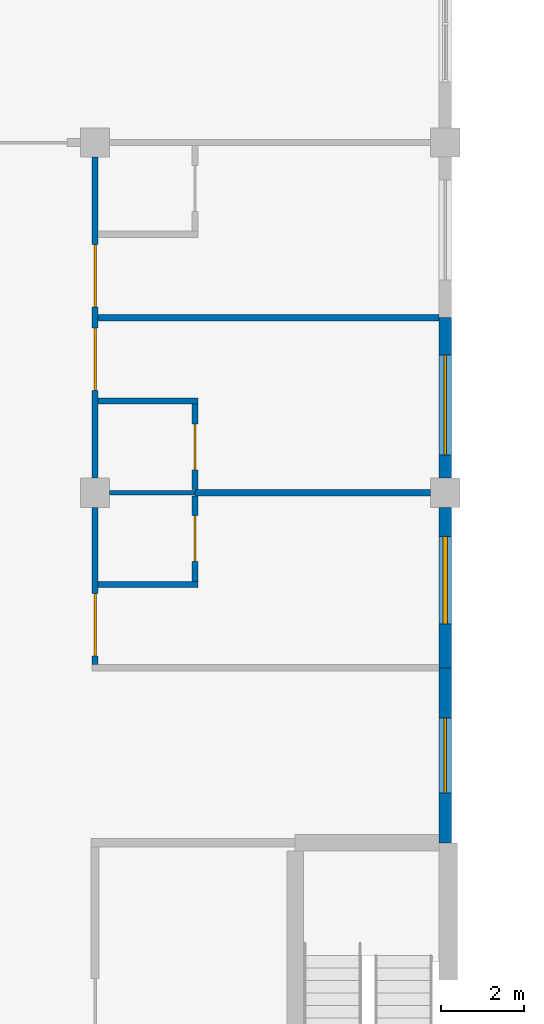
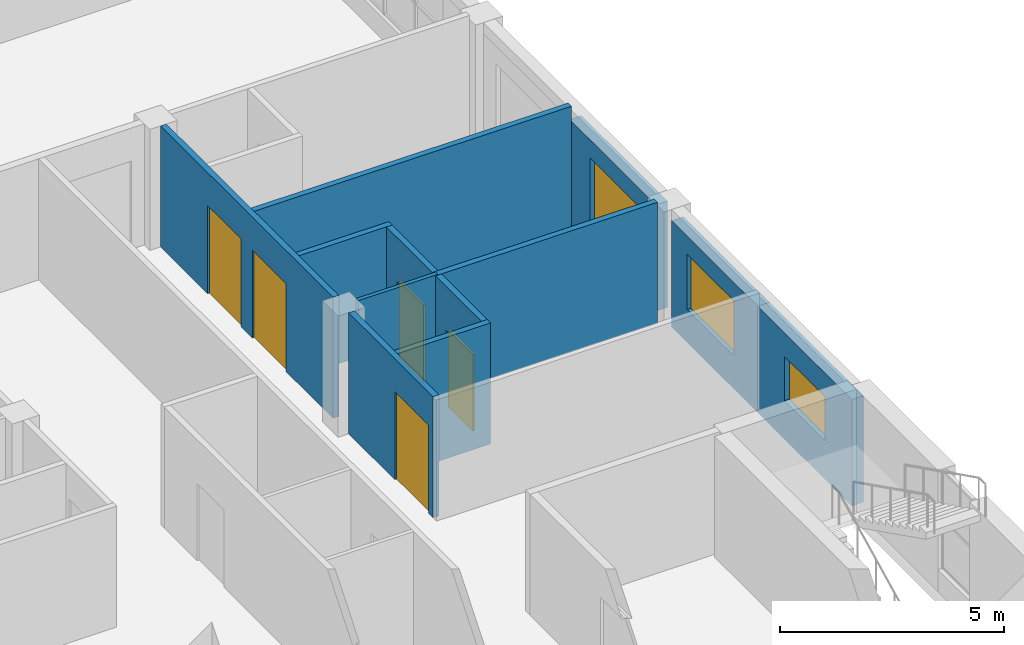
# One storey, part 31 of 48: 12 walls, 5 doors, 3 windows, 8 openings.
"""IFC4 building model written with IfcOpenShell, lengths in metres."""

from ifc_helpers import new_model, si_unit, direction, frame, frame_2d, origin, place, context, subcontext, project, spatial, rectangle, extrude, material, layer, layer_set, type_object, element, fill, save


model = new_model("IFC4")

# Units and contexts
model_context = context("Model", 3, precision=1e-05, world=origin(), true_north=direction((0.0, 1.0)))
body_context = subcontext(model_context, "Body", "Model", "MODEL_VIEW")
ifc_project = project(units=[si_unit("LENGTHUNIT", "METRE"), si_unit("AREAUNIT", "SQUARE_METRE"), si_unit("VOLUMEUNIT", "CUBIC_METRE"), si_unit("PLANEANGLEUNIT", "RADIAN"), si_unit("MASSUNIT", "GRAM", prefix="KILO")], contexts=[model_context])

# Site, building, storey
site_placement = place(None, origin())
site = spatial("IfcSite", under=ifc_project, at=site_placement, CompositionType="ELEMENT")
building_placement = place(site_placement, origin())
building = spatial("IfcBuilding", under=site, at=building_placement, Name="Yavir Park General Hospital", CompositionType="ELEMENT")
storey_placement = place(building_placement, frame((0.0, 0.0, 26.10009765625)))
storey = spatial("IfcBuildingStorey", under=building, at=storey_placement, Name="L06", CompositionType="ELEMENT", Elevation=26.10009765625)

# Walls
ifc_material_1 = material(Name="Gypsum board partition on steel studs", Category="steel")
ifc_layer_1 = layer(ifc_material_1, 0.10009765625)
ifc_layer_set_1 = layer_set([ifc_layer_1], Name="Gypsum board partition on steel studs")
wall_type_1 = type_object("IfcWallType", Name="Gypsum board partition 100", PredefinedType="PARTITIONING", material=ifc_layer_set_1)
wall_1_placement = place(storey_placement, frame((17.14990234375, 58.800048828125, 0.0), z_axis=(0.0, 0.0, 1.0), x_axis=(1.0, 0.0, 0.0)))
element("IfcWall", 1, at=wall_1_placement, inside=storey, type_object=wall_type_1, Name="P10 L06-089", PredefinedType="PARTITIONING", context=body_context, shape_type="SweptSolid", body=[
    extrude(rectangle(XDim=2.050048828125, YDim=0.10009765625, at=frame_2d((1.02490234375, 0.0))), origin(), (0.0, 0.0, 1.0), 3.2998046875),
])
ifc_material_2 = material(Name="Gypsum board partition on steel studs", Category="steel")
ifc_layer_2 = layer(ifc_material_2, 0.14990234375)
ifc_layer_set_2 = layer_set([ifc_layer_2], Name="Gypsum board partition on steel studs")
wall_type_2 = type_object("IfcWallType", Name="Gypsum board partition 150", PredefinedType="PARTITIONING", material=ifc_layer_set_2)
wall_2_placement = place(storey_placement, frame((16.875, 56.60009765625, 0.0), z_axis=(0.0, 0.0, 1.0), x_axis=(1.0, 0.0, 0.0)))
element("IfcWall", 2, at=wall_2_placement, inside=storey, type_object=wall_type_2, Name="P15 L06-085", PredefinedType="PARTITIONING", context=body_context, shape_type="SweptSolid", body=[
    extrude(rectangle(XDim=2.39990234375, YDim=0.14990234375, at=frame_2d((1.199951171875, 0.0))), origin(), (0.0, 0.0, 1.0), 3.2998046875),
])
wall_3_placement = place(storey_placement, frame((19.199951171875, 58.800048828125, 0.0), z_axis=(0.0, 0.0, 1.0), x_axis=(1.0, 0.0, 0.0)))
element("IfcWall", 3, at=wall_3_placement, inside=storey, type_object=wall_type_2, Name="P15 L06-090", PredefinedType="PARTITIONING", context=body_context, shape_type="SweptSolid", body=[
    extrude(rectangle(XDim=5.650146484375, YDim=0.14990234375, at=frame_2d((2.8251953125, 0.0))), origin(), (0.0, 0.0, 1.0), 3.2998046875),
])
wall_4_placement = place(storey_placement, frame((16.875, 61.0, 0.0), z_axis=(0.0, 0.0, 1.0), x_axis=(1.0, 0.0, 0.0)))
element("IfcWall", 4, at=wall_4_placement, inside=storey, type_object=wall_type_2, Name="P15 L06-092", PredefinedType="PARTITIONING", context=body_context, shape_type="SweptSolid", body=[
    extrude(rectangle(XDim=2.39990234375, YDim=0.14990234375, at=frame_2d((1.199951171875, 0.0))), origin(), (0.0, 0.0, 1.0), 3.2998046875),
])
wall_5_placement = place(storey_placement, frame((16.875, 63.0, 0.0), z_axis=(0.0, 0.0, 1.0), x_axis=(1.0, 0.0, 0.0)))
element("IfcWall", 5, at=wall_5_placement, inside=storey, type_object=wall_type_2, Name="P15 L06-094", PredefinedType="PARTITIONING", context=body_context, shape_type="SweptSolid", body=[
    extrude(rectangle(XDim=8.175048828125, YDim=0.14990234375, at=frame_2d((4.08740234375, 0.0))), origin(), (0.0, 0.0, 1.0), 3.2998046875),
])

# Wall, opening, door
wall_6_placement = place(storey_placement, frame((16.800048828125, 54.675048828125, 0.0), z_axis=(0.0, 0.0, 1.0), x_axis=(0.0, 1.0, 0.0)))
wall_6 = element("IfcWall", 6, at=wall_6_placement, inside=storey, type_object=wall_type_2, Name="P15 L06-179", PredefinedType="PARTITIONING", context=body_context, shape_type="SweptSolid", body=[
    extrude(rectangle(XDim=3.77490234375, YDim=0.14990234375, at=frame_2d((1.887451171875, 0.0))), origin(), (0.0, 0.0, 1.0), 3.2998046875),
])
opening_1_placement = place(wall_6_placement, frame((0.21240234375, 0.0, 0.0)))
opening_1 = element("IfcOpeningElement", 7, at=opening_1_placement, cuts=wall_6, Name="Opening L06.D117", PredefinedType="OPENING", context=body_context, shape_type="SweptSolid", body=[
    extrude(rectangle(XDim=1.5, YDim=2.39990234375, at=frame_2d((0.75, 1.199951171875))), frame((0.0, 0.0849609375, 0.0), z_axis=(0.0, -1.0, 0.0), x_axis=(1.0, 0.0, 0.0)), (0.0, 0.0, 1.0), 0.169921875),
])
ifc_material_3 = material(Name="Solid-core timber leaves, push plates, kick plates", Category="wood")
door_type_1 = type_object("IfcDoorType", Name="Bed door, unequal leaves 1500 x 2400", OperationType="DOUBLE_DOOR_SINGLE_SWING", PredefinedType="DOOR", material=ifc_material_3)
door_1_placement = place(opening_1_placement, origin())
door_1 = element("IfcDoor", 8, at=door_1_placement, inside=storey, type_object=door_type_1, Name="L06.D117", OperationType="SINGLE_SWING_RIGHT", OverallHeight=2.39990234375, OverallWidth=1.5, PredefinedType="DOOR", context=body_context, shape_type="SweptSolid", body=[
    extrude(rectangle(XDim=1.5, YDim=2.39990234375, at=frame_2d((0.75, 1.199951171875))), frame((0.0, 0.030029296875, 0.0), z_axis=(0.0, -1.0, 0.0), x_axis=(1.0, 0.0, 0.0)), (0.0, 0.0, 1.0), 0.06005859375),
])
fill(opening_1, door_1)

# Wall, openings, doors
wall_7_placement = place(storey_placement, frame((16.800048828125, 59.14990234375, 0.0), z_axis=(0.0, 0.0, 1.0), x_axis=(0.0, 1.0, 0.0)))
wall_7 = element("IfcWall", 9, at=wall_7_placement, inside=storey, type_object=wall_type_2, Name="P15 L06-180", PredefinedType="PARTITIONING", context=body_context, shape_type="SweptSolid", body=[
    extrude(rectangle(XDim=7.7001953125, YDim=0.14990234375, at=frame_2d((3.85009765625, 0.0))), origin(), (0.0, 0.0, 1.0), 3.2998046875),
])
opening_2_placement = place(wall_7_placement, frame((2.10009765625, 0.0, 0.0)))
opening_2 = element("IfcOpeningElement", 10, at=opening_2_placement, cuts=wall_7, Name="Opening L06.D118", PredefinedType="OPENING", context=body_context, shape_type="SweptSolid", body=[
    extrude(rectangle(XDim=1.5, YDim=2.39990234375, at=frame_2d((0.75, 1.199951171875))), frame((0.0, 0.0849609375, 0.0), z_axis=(0.0, -1.0, 0.0), x_axis=(1.0, 0.0, 0.0)), (0.0, 0.0, 1.0), 0.169921875),
])
opening_3_placement = place(wall_7_placement, frame((4.10009765625, 0.0, 0.0)))
opening_3 = element("IfcOpeningElement", 11, at=opening_3_placement, cuts=wall_7, Name="Opening L06.D119", PredefinedType="OPENING", context=body_context, shape_type="SweptSolid", body=[
    extrude(rectangle(XDim=1.5, YDim=2.39990234375, at=frame_2d((0.75, 1.199951171875))), frame((0.0, 0.0849609375, 0.0), z_axis=(0.0, -1.0, 0.0), x_axis=(1.0, 0.0, 0.0)), (0.0, 0.0, 1.0), 0.169921875),
])
door_2_placement = place(opening_2_placement, origin())
door_2 = element("IfcDoor", 12, at=door_2_placement, inside=storey, type_object=door_type_1, Name="L06.D118", OperationType="SINGLE_SWING_LEFT", OverallHeight=2.39990234375, OverallWidth=1.5, PredefinedType="DOOR", context=body_context, shape_type="SweptSolid", body=[
    extrude(rectangle(XDim=1.5, YDim=2.39990234375, at=frame_2d((0.75, 1.199951171875))), frame((0.0, 0.030029296875, 0.0), z_axis=(0.0, -1.0, 0.0), x_axis=(1.0, 0.0, 0.0)), (0.0, 0.0, 1.0), 0.06005859375),
])
fill(opening_2, door_2)
door_3_placement = place(opening_3_placement, origin())
door_3 = element("IfcDoor", 13, at=door_3_placement, inside=storey, type_object=door_type_1, Name="L06.D119", OperationType="SINGLE_SWING_LEFT", OverallHeight=2.39990234375, OverallWidth=1.5, PredefinedType="DOOR", context=body_context, shape_type="SweptSolid", body=[
    extrude(rectangle(XDim=1.5, YDim=2.39990234375, at=frame_2d((0.75, 1.199951171875))), frame((0.0, 0.030029296875, 0.0), z_axis=(0.0, -1.0, 0.0), x_axis=(1.0, 0.0, 0.0)), (0.0, 0.0, 1.0), 0.06005859375),
])
fill(opening_3, door_3)

# Wall, opening, door
wall_8_placement = place(storey_placement, frame((19.199951171875, 56.675048828125, 0.0), z_axis=(0.0, 0.0, 1.0), x_axis=(0.0, 1.0, 0.0)))
wall_8 = element("IfcWall", 14, at=wall_8_placement, inside=storey, type_object=wall_type_2, Name="P15 L06-188", PredefinedType="PARTITIONING", context=body_context, shape_type="SweptSolid", body=[
    extrude(rectangle(XDim=2.050048828125, YDim=0.14990234375, at=frame_2d((1.02490234375, 0.0))), origin(), (0.0, 0.0, 1.0), 3.2998046875),
])
opening_4_placement = place(wall_8_placement, frame((0.47509765625, 0.0, 0.0)))
opening_4 = element("IfcOpeningElement", 15, at=opening_4_placement, cuts=wall_8, Name="Opening L06.D129", PredefinedType="OPENING", context=body_context, shape_type="SweptSolid", body=[
    extrude(rectangle(XDim=1.10009765625, YDim=2.10009765625, at=frame_2d((0.550048828125, 1.050048828125))), frame((0.0, 0.0849609375, 0.0), z_axis=(0.0, -1.0, 0.0), x_axis=(1.0, 0.0, 0.0)), (0.0, 0.0, 1.0), 0.169921875),
])
ifc_material_4 = material(Name="Hollow metal frame, solid-core timber leaf", Category="wood")
door_type_2 = type_object("IfcDoorType", Name="Single swing door 1100 x 2100", OperationType="SINGLE_SWING_LEFT", PredefinedType="DOOR", material=ifc_material_4)
door_4_placement = place(opening_4_placement, origin())
door_4 = element("IfcDoor", 16, at=door_4_placement, inside=storey, type_object=door_type_2, Name="L06.D129", OperationType="SINGLE_SWING_RIGHT", OverallHeight=2.10009765625, OverallWidth=1.10009765625, PredefinedType="DOOR", context=body_context, shape_type="SweptSolid", body=[
    extrude(rectangle(XDim=1.10009765625, YDim=2.10009765625, at=frame_2d((0.550048828125, 1.050048828125))), frame((0.0, 0.02490234375, 0.0), z_axis=(0.0, -1.0, 0.0), x_axis=(1.0, 0.0, 0.0)), (0.0, 0.0, 1.0), 0.050048828125),
])
fill(opening_4, door_4)

wall_9_placement = place(storey_placement, frame((19.199951171875, 58.875, 0.0), z_axis=(0.0, 0.0, 1.0), x_axis=(0.0, 1.0, 0.0)))
wall_9 = element("IfcWall", 17, at=wall_9_placement, inside=storey, type_object=wall_type_2, Name="P15 L06-189", PredefinedType="PARTITIONING", context=body_context, shape_type="SweptSolid", body=[
    extrude(rectangle(XDim=2.050048828125, YDim=0.14990234375, at=frame_2d((1.02490234375, 0.0))), origin(), (0.0, 0.0, 1.0), 3.2998046875),
])
opening_5_placement = place(wall_9_placement, frame((0.47509765625, 0.0, 0.0)))
opening_5 = element("IfcOpeningElement", 18, at=opening_5_placement, cuts=wall_9, Name="Opening L06.D130", PredefinedType="OPENING", context=body_context, shape_type="SweptSolid", body=[
    extrude(rectangle(XDim=1.10009765625, YDim=2.10009765625, at=frame_2d((0.550048828125, 1.050048828125))), frame((0.0, 0.0849609375, 0.0), z_axis=(0.0, -1.0, 0.0), x_axis=(1.0, 0.0, 0.0)), (0.0, 0.0, 1.0), 0.169921875),
])
door_5_placement = place(opening_5_placement, origin())
door_5 = element("IfcDoor", 19, at=door_5_placement, inside=storey, type_object=door_type_2, Name="L06.D130", OperationType="SINGLE_SWING_LEFT", OverallHeight=2.10009765625, OverallWidth=1.10009765625, PredefinedType="DOOR", context=body_context, shape_type="SweptSolid", body=[
    extrude(rectangle(XDim=1.10009765625, YDim=2.10009765625, at=frame_2d((0.550048828125, 1.050048828125))), frame((0.0, 0.02490234375, 0.0), z_axis=(0.0, -1.0, 0.0), x_axis=(1.0, 0.0, 0.0)), (0.0, 0.0, 1.0), 0.050048828125),
])
fill(opening_5, door_5)

# Wall, opening, window
ifc_material_5 = material(Name="Autoclaved aerated block, mineral wool and ochre mineral render")
ifc_layer_3 = layer(ifc_material_5, 0.300048828125)
ifc_layer_set_3 = layer_set([ifc_layer_3], Name="Autoclaved aerated block, mineral wool and ochre mineral render")
wall_type_3 = type_object("IfcWallType", Name="Ochre render ward wall 300, E 30", PredefinedType="SOLIDWALL", material=ifc_layer_set_3)
wall_10_placement = place(storey_placement, frame((25.199951171875, 50.39990234375, 0.0), z_axis=(0.0, 0.0, 1.0), x_axis=(0.0, 1.0, 0.0)))
wall_10 = element("IfcWall", 20, at=wall_10_placement, inside=storey, type_object=wall_type_3, Name="XW7 L06-107", PredefinedType="SOLIDWALL", context=body_context, shape_type="SweptSolid", body=[
    extrude(rectangle(XDim=4.2001953125, YDim=0.300048828125, at=frame_2d((2.10009765625, 0.0))), origin(), (0.0, 0.0, 1.0), 2.89990234375),
])
opening_6_placement = place(wall_10_placement, frame((1.199951171875, 0.0, 1.050048828125)))
opening_6 = element("IfcOpeningElement", 21, at=opening_6_placement, cuts=wall_10, Name="Opening WQ", PredefinedType="OPENING", context=body_context, shape_type="SweptSolid", body=[
    extrude(rectangle(XDim=1.800048828125, YDim=1.199951171875, at=frame_2d((0.89990234375, 0.60009765625))), frame((0.0, 0.159912109375, 0.0), z_axis=(0.0, -1.0, 0.0), x_axis=(1.0, 0.0, 0.0)), (0.0, 0.0, 1.0), 0.320068359375),
])
ifc_material_6 = material(Name="Aluminium frame, double glazed unit", Category="aluminium")
window_type_1 = type_object("IfcWindowType", Name="Dining room window 1800 x 1200", PartitioningType="DOUBLE_PANEL_VERTICAL", PredefinedType="WINDOW", material=ifc_material_6)
window_1_placement = place(opening_6_placement, origin())
window_1 = element("IfcWindow", 22, at=window_1_placement, inside=storey, type_object=window_type_1, Name="WQ L06-045", OverallHeight=1.199951171875, OverallWidth=1.800048828125, PartitioningType="DOUBLE_PANEL_VERTICAL", PredefinedType="WINDOW", context=body_context, shape_type="SweptSolid", body=[
    extrude(rectangle(XDim=1.800048828125, YDim=1.199951171875, at=frame_2d((0.89990234375, 0.60009765625))), frame((0.0, 0.030029296875, 0.0), z_axis=(0.0, -1.0, 0.0), x_axis=(1.0, 0.0, 0.0)), (0.0, 0.0, 1.0), 0.06005859375),
])
fill(opening_6, window_1)

wall_11_placement = place(storey_placement, frame((25.199951171875, 54.60009765625, 0.0), z_axis=(0.0, 0.0, 1.0), x_axis=(0.0, 1.0, 0.0)))
wall_11 = element("IfcWall", 23, at=wall_11_placement, inside=storey, type_object=wall_type_3, Name="XW7 L06-108", PredefinedType="SOLIDWALL", context=body_context, shape_type="SweptSolid", body=[
    extrude(rectangle(XDim=3.849853515625, YDim=0.300048828125, at=frame_2d((1.9248046875, 0.0))), origin(), (0.0, 0.0, 1.0), 2.89990234375),
])
opening_7_placement = place(wall_11_placement, frame((1.050048828125, 0.0, 0.89990234375)))
opening_7 = element("IfcOpeningElement", 24, at=opening_7_placement, cuts=wall_11, Name="Opening WAR", PredefinedType="OPENING", context=body_context, shape_type="SweptSolid", body=[
    extrude(rectangle(XDim=2.10009765625, YDim=1.5, at=frame_2d((1.050048828125, 0.75))), frame((0.0, 0.159912109375, 0.0), z_axis=(0.0, -1.0, 0.0), x_axis=(1.0, 0.0, 0.0)), (0.0, 0.0, 1.0), 0.320068359375),
])
ifc_material_7 = material(Name="Aluminium frame, tilt-and-turn sash with opening restrictor, double glazed unit", Category="aluminium")
window_type_2 = type_object("IfcWindowType", Name="Ward window, restricted opening 2100 x 1500", PartitioningType="DOUBLE_PANEL_VERTICAL", PredefinedType="WINDOW", material=ifc_material_7)
window_2_placement = place(opening_7_placement, origin())
window_2 = element("IfcWindow", 25, at=window_2_placement, inside=storey, type_object=window_type_2, Name="WAR L06-046", OverallHeight=1.5, OverallWidth=2.10009765625, PartitioningType="DOUBLE_PANEL_VERTICAL", PredefinedType="WINDOW", context=body_context, shape_type="SweptSolid", body=[
    extrude(rectangle(XDim=2.10009765625, YDim=1.5, at=frame_2d((1.050048828125, 0.75))), frame((0.0, 0.050048828125, 0.0), z_axis=(0.0, -1.0, 0.0), x_axis=(1.0, 0.0, 0.0)), (0.0, 0.0, 1.0), 0.10009765625),
])
fill(opening_7, window_2)

wall_12_placement = place(storey_placement, frame((25.199951171875, 59.14990234375, 0.0), z_axis=(0.0, 0.0, 1.0), x_axis=(0.0, 1.0, 0.0)))
wall_12 = element("IfcWall", 26, at=wall_12_placement, inside=storey, type_object=wall_type_3, Name="XW7 L06-109", PredefinedType="SOLIDWALL", context=body_context, shape_type="SweptSolid", body=[
    extrude(rectangle(XDim=3.85009765625, YDim=0.300048828125, at=frame_2d((1.925048828125, 0.0))), origin(), (0.0, 0.0, 1.0), 2.89990234375),
])
opening_8_placement = place(wall_12_placement, frame((0.550048828125, 0.0, 0.60009765625)))
opening_8 = element("IfcOpeningElement", 27, at=opening_8_placement, cuts=wall_12, Name="Opening WR", PredefinedType="OPENING", context=body_context, shape_type="SweptSolid", body=[
    extrude(rectangle(XDim=2.39990234375, YDim=1.800048828125, at=frame_2d((1.199951171875, 0.89990234375))), frame((0.0, 0.159912109375, 0.0), z_axis=(0.0, -1.0, 0.0), x_axis=(1.0, 0.0, 0.0)), (0.0, 0.0, 1.0), 0.320068359375),
])
ifc_material_8 = material(Name="Aluminium frame, double glazed unit", Category="aluminium")
window_type_3 = type_object("IfcWindowType", Name="Therapy room window 2400 x 1800", PartitioningType="DOUBLE_PANEL_VERTICAL", PredefinedType="WINDOW", material=ifc_material_8)
window_3_placement = place(opening_8_placement, origin())
window_3 = element("IfcWindow", 28, at=window_3_placement, inside=storey, type_object=window_type_3, Name="WR L06-047", OverallHeight=1.800048828125, OverallWidth=2.39990234375, PartitioningType="DOUBLE_PANEL_VERTICAL", PredefinedType="WINDOW", context=body_context, shape_type="SweptSolid", body=[
    extrude(rectangle(XDim=2.39990234375, YDim=1.800048828125, at=frame_2d((1.199951171875, 0.89990234375))), frame((0.0, 0.030029296875, 0.0), z_axis=(0.0, -1.0, 0.0), x_axis=(1.0, 0.0, 0.0)), (0.0, 0.0, 1.0), 0.06005859375),
])
fill(opening_8, window_3)

save(model, "model.ifc")
